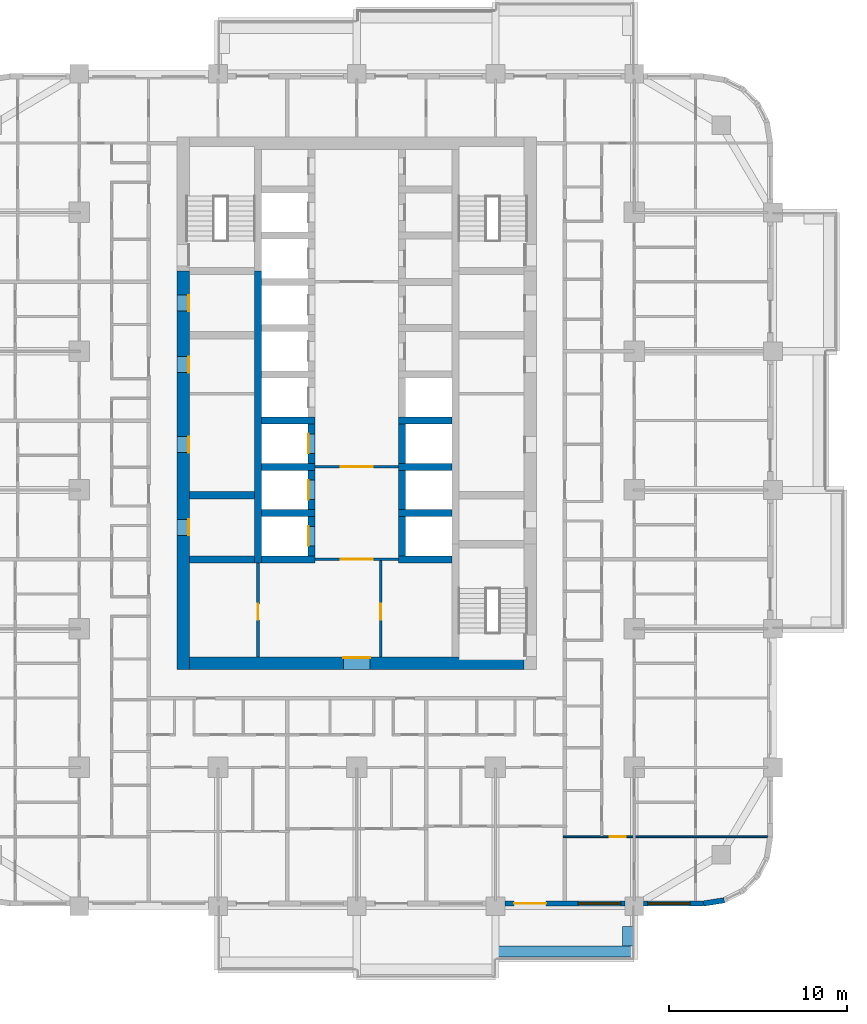
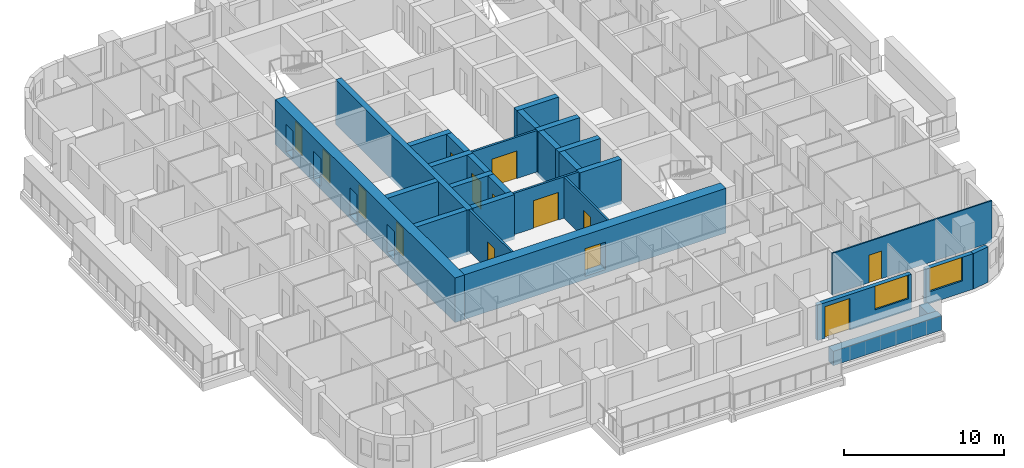
# One storey, part 6 of 17: 29 walls, 14 doors, 2 windows, 16 openings.
"""IFC4 building model written with IfcOpenShell, lengths in metres."""

from ifc_helpers import new_model, si_unit, direction, frame, frame_2d, origin, place, context, subcontext, project, spatial, rectangle, extrude, material, layer, layer_set, type_object, element, fill, save


model = new_model("IFC4")

# Units and contexts
model_context = context("Model", 3, precision=1e-05, world=origin(), true_north=direction((0.0, 1.0)))
body_context = subcontext(model_context, "Body", "Model", "MODEL_VIEW")
ifc_project = project(units=[si_unit("LENGTHUNIT", "METRE"), si_unit("AREAUNIT", "SQUARE_METRE"), si_unit("VOLUMEUNIT", "CUBIC_METRE"), si_unit("PLANEANGLEUNIT", "RADIAN"), si_unit("MASSUNIT", "GRAM", prefix="KILO")], contexts=[model_context])

# Site, building, storey
site_placement = place(None, origin())
site = spatial("IfcSite", under=ifc_project, at=site_placement, CompositionType="ELEMENT")
building_placement = place(site_placement, origin())
building = spatial("IfcBuilding", under=site, at=building_placement, Name="Ludao Terraces", CompositionType="ELEMENT")
storey_placement = place(building_placement, frame((0.0, 0.0, 39.89990234375)))
storey = spatial("IfcBuildingStorey", under=building, at=storey_placement, Name="L10", CompositionType="ELEMENT", Elevation=39.89990234375)

# Wall, openings, doors
ifc_material_1 = material(Name="Concrete C70", Category="concrete")
ifc_layer_1 = layer(ifc_material_1, 0.699951171875)
ifc_layer_set_1 = layer_set([ifc_layer_1], Name="Core wall 700 C70")
wall_type_1 = type_object("IfcWallType", Name="Core wall 700 C70", PredefinedType="SOLIDWALL", material=ifc_layer_set_1)
wall_1_placement = place(storey_placement, frame((75.25, 54.89990234375, -0.25), z_axis=(0.0, 0.0, 1.0), x_axis=(0.0, 1.0, 0.0)))
wall_1 = element("IfcWall", 1, at=wall_1_placement, inside=storey, type_object=wall_type_1, Name="Core wall L10 outer-W", PredefinedType="SOLIDWALL", context=body_context, shape_type="SweptSolid", body=[
    extrude(rectangle(XDim=22.400146484375, YDim=0.699951171875, at=frame_2d((11.2001953125, 0.0))), origin(), (0.0, 0.0, 1.0), 3.400146484375),
])
opening_1_placement = place(wall_1_placement, frame((7.550048828125, 0.0, 0.25)))
opening_1 = element("IfcOpeningElement", 2, at=opening_1_placement, cuts=wall_1, Name="Opening R03-079", PredefinedType="OPENING", context=body_context, shape_type="SweptSolid", body=[
    extrude(rectangle(XDim=0.89990234375, YDim=2.10009765625, at=frame_2d((0.449951171875, 1.050048828125))), frame((0.0, 0.35986328125, 0.0), z_axis=(0.0, -1.0, 0.0), x_axis=(1.0, 0.0, 0.0)), (0.0, 0.0, 1.0), 0.719970703125),
])
opening_2_placement = place(wall_1_placement, frame((12.199951171875, 0.0, 0.25)))
opening_2 = element("IfcOpeningElement", 3, at=opening_2_placement, cuts=wall_1, Name="Opening R03-094", PredefinedType="OPENING", context=body_context, shape_type="SweptSolid", body=[
    extrude(rectangle(XDim=0.89990234375, YDim=2.10009765625, at=frame_2d((0.449951171875, 1.050048828125))), frame((0.0, 0.35986328125, 0.0), z_axis=(0.0, -1.0, 0.0), x_axis=(1.0, 0.0, 0.0)), (0.0, 0.0, 1.0), 0.719970703125),
])
opening_3_placement = place(wall_1_placement, frame((16.699951171875, 0.0, 0.25)))
opening_3 = element("IfcOpeningElement", 4, at=opening_3_placement, cuts=wall_1, Name="Opening R03-109", PredefinedType="OPENING", context=body_context, shape_type="SweptSolid", body=[
    extrude(rectangle(XDim=0.89990234375, YDim=2.10009765625, at=frame_2d((0.449951171875, 1.050048828125))), frame((0.0, 0.35986328125, 0.0), z_axis=(0.0, -1.0, 0.0), x_axis=(1.0, 0.0, 0.0)), (0.0, 0.0, 1.0), 0.719970703125),
])
opening_4_placement = place(wall_1_placement, frame((20.14990234375, 0.0, 0.25)))
opening_4 = element("IfcOpeningElement", 5, at=opening_4_placement, cuts=wall_1, Name="Opening R03-120", PredefinedType="OPENING", context=body_context, shape_type="SweptSolid", body=[
    extrude(rectangle(XDim=0.89990234375, YDim=2.10009765625, at=frame_2d((0.449951171875, 1.050048828125))), frame((0.0, 0.35986328125, 0.0), z_axis=(0.0, -1.0, 0.0), x_axis=(1.0, 0.0, 0.0)), (0.0, 0.0, 1.0), 0.719970703125),
])
ifc_material_2 = material(Name="Steel Q235", Category="steel")
door_type_1 = type_object("IfcDoorType", Name="INT Riser door 900", OperationType="SINGLE_SWING_LEFT", PredefinedType="DOOR", material=ifc_material_2)
door_1_placement = place(opening_1_placement, origin())
door_1 = element("IfcDoor", 6, at=door_1_placement, inside=storey, type_object=door_type_1, Name="DOOR 079", OperationType="SINGLE_SWING_LEFT", OverallHeight=2.10009765625, OverallWidth=0.89990234375, PredefinedType="DOOR", context=body_context, shape_type="SweptSolid", body=[
    extrude(rectangle(XDim=0.89990234375, YDim=2.10009765625, at=frame_2d((0.449951171875, 1.050048828125))), frame((0.0, -0.28515625, 0.0), z_axis=(0.0, -1.0, 0.0), x_axis=(1.0, 0.0, 0.0)), (0.0, 0.0, 1.0), 0.050048828125),
])
fill(opening_1, door_1)
door_2_placement = place(opening_4_placement, origin())
door_2 = element("IfcDoor", 7, at=door_2_placement, inside=storey, type_object=door_type_1, Name="DOOR 120", OperationType="SINGLE_SWING_RIGHT", OverallHeight=2.10009765625, OverallWidth=0.89990234375, PredefinedType="DOOR", context=body_context, shape_type="SweptSolid", body=[
    extrude(rectangle(XDim=0.89990234375, YDim=2.10009765625, at=frame_2d((0.449951171875, 1.050048828125))), frame((0.0, -0.28515625, 0.0), z_axis=(0.0, -1.0, 0.0), x_axis=(1.0, 0.0, 0.0)), (0.0, 0.0, 1.0), 0.050048828125),
])
fill(opening_4, door_2)
ifc_material_3 = material(Name="Timber door leaf", Category="wood")
door_type_2 = type_object("IfcDoorType", Name="INT Room door 900", OperationType="SINGLE_SWING_LEFT", PredefinedType="DOOR", material=ifc_material_3)
door_3_placement = place(opening_2_placement, origin())
door_3 = element("IfcDoor", 8, at=door_3_placement, inside=storey, type_object=door_type_2, Name="DOOR 094", OperationType="SINGLE_SWING_RIGHT", OverallHeight=2.10009765625, OverallWidth=0.89990234375, PredefinedType="DOOR", context=body_context, shape_type="SweptSolid", body=[
    extrude(rectangle(XDim=0.89990234375, YDim=2.10009765625, at=frame_2d((0.449951171875, 1.050048828125))), frame((0.0, -0.28515625, 0.0), z_axis=(0.0, -1.0, 0.0), x_axis=(1.0, 0.0, 0.0)), (0.0, 0.0, 1.0), 0.050048828125),
])
fill(opening_2, door_3)
door_4_placement = place(opening_3_placement, origin())
door_4 = element("IfcDoor", 9, at=door_4_placement, inside=storey, type_object=door_type_2, Name="DOOR 109", OperationType="SINGLE_SWING_LEFT", OverallHeight=2.10009765625, OverallWidth=0.89990234375, PredefinedType="DOOR", context=body_context, shape_type="SweptSolid", body=[
    extrude(rectangle(XDim=0.89990234375, YDim=2.10009765625, at=frame_2d((0.449951171875, 1.050048828125))), frame((0.0, -0.28515625, 0.0), z_axis=(0.0, -1.0, 0.0), x_axis=(1.0, 0.0, 0.0)), (0.0, 0.0, 1.0), 0.050048828125),
])
fill(opening_3, door_4)

# Wall, opening, door
wall_2_placement = place(storey_placement, frame((75.60009765625, 55.25, -0.25), z_axis=(0.0, 0.0, 1.0), x_axis=(1.0, 0.0, 0.0)))
wall_2 = element("IfcWall", 10, at=wall_2_placement, inside=storey, type_object=wall_type_1, Name="Core wall L10 outer-S", PredefinedType="SOLIDWALL", context=body_context, shape_type="SweptSolid", body=[
    extrude(rectangle(XDim=18.7998046875, YDim=0.699951171875, at=frame_2d((9.39990234375, 0.0))), origin(), (0.0, 0.0, 1.0), 3.400146484375),
])
opening_5_placement = place(wall_2_placement, frame((8.64990234375, 0.0, 0.25)))
opening_5 = element("IfcOpeningElement", 11, at=opening_5_placement, cuts=wall_2, Name="Opening R03-054", PredefinedType="OPENING", context=body_context, shape_type="SweptSolid", body=[
    extrude(rectangle(XDim=1.5, YDim=2.10009765625, at=frame_2d((0.75, 1.050048828125))), frame((0.0, 0.35986328125, 0.0), z_axis=(0.0, -1.0, 0.0), x_axis=(1.0, 0.0, 0.0)), (0.0, 0.0, 1.0), 0.719970703125),
])
door_type_3 = type_object("IfcDoorType", Name="INT Lobby door 1500", OperationType="DOUBLE_DOOR_SINGLE_SWING", PredefinedType="DOOR", material=ifc_material_2)
door_5_placement = place(opening_5_placement, origin())
door_5 = element("IfcDoor", 12, at=door_5_placement, inside=storey, type_object=door_type_3, Name="DOOR 054", OperationType="DOUBLE_DOOR_SINGLE_SWING", OverallHeight=2.10009765625, OverallWidth=1.5, PredefinedType="DOOR", context=body_context, shape_type="SweptSolid", body=[
    extrude(rectangle(XDim=1.5, YDim=2.10009765625, at=frame_2d((0.75, 1.050048828125))), frame((0.0, 0.3349609375, 0.0), z_axis=(0.0, -1.0, 0.0), x_axis=(1.0, 0.0, 0.0)), (0.0, 0.0, 1.0), 0.050048828125),
])
fill(opening_5, door_5)

# Walls
ifc_material_4 = material(Name="Concrete C40", Category="concrete")
ifc_layer_2 = layer(ifc_material_4, 0.60009765625)
ifc_layer_set_2 = layer_set([ifc_layer_2], Name="ENV Planter trough 600")
wall_type_2 = type_object("IfcWallType", Name="ENV Planter trough 600", PredefinedType="USERDEFINED", material=ifc_layer_set_2)
wall_3_placement = place(storey_placement, frame((92.800048828125, 39.050048828125, 0.0), z_axis=(0.0, 0.0, 1.0), x_axis=(1.0, 0.0, 0.0)))
element("IfcWall", 13, at=wall_3_placement, inside=storey, type_object=wall_type_2, Name="PL-L10-S4", ObjectType="PLANTER", PredefinedType="USERDEFINED", context=body_context, shape_type="SweptSolid", body=[
    extrude(rectangle(XDim=7.800048828125, YDim=0.60009765625, at=frame_2d((3.89990234375, 0.0))), origin(), (0.0, 0.0, 1.0), 1.10009765625),
])
wall_4_placement = place(storey_placement, frame((100.25, 39.35009765625, 0.0), z_axis=(0.0, 0.0, 1.0), x_axis=(0.0, 1.0, 0.0)))
element("IfcWall", 14, at=wall_4_placement, inside=storey, type_object=wall_type_2, Name="PL-L10-S4-SB", ObjectType="PLANTER", PredefinedType="USERDEFINED", context=body_context, shape_type="SweptSolid", body=[
    extrude(rectangle(XDim=1.099853515625, YDim=0.60009765625, at=frame_2d((0.5498046875, 0.0))), origin(), (0.0, 0.0, 1.0), 1.10009765625),
])

# Wall, openings, door, window
ifc_material_5 = material(Name="Granite cladding", Category="masonry")
ifc_layer_3 = layer(ifc_material_5, 0.0400390625, Category="stone")
ifc_material_6 = material(Name="Mineral wool")
ifc_layer_4 = layer(ifc_material_6, 0.06005859375)
ifc_layer_5 = layer(ifc_material_4, 0.199951171875, Category="concrete")
ifc_layer_set_3 = layer_set([ifc_layer_3, ifc_layer_4, ifc_layer_5], Name="ENV Stone-clad wall 300")
wall_type_3 = type_object("IfcWallType", Name="ENV Stone-clad wall 300", PredefinedType="SOLIDWALL", material=ifc_layer_set_3)
wall_5_placement = place(storey_placement, frame((93.324951171875, 41.75, 0.0), z_axis=(0.0, 0.0, 1.0), x_axis=(1.0, 0.0, 0.0)))
wall_5 = element("IfcWall", 15, at=wall_5_placement, inside=storey, type_object=wall_type_3, Name="EW-L10-S5", PredefinedType="SOLIDWALL", context=body_context, shape_type="SweptSolid", body=[
    extrude(rectangle(XDim=6.75, YDim=0.300048828125, at=frame_2d((3.375, 0.0))), origin(), (0.0, 0.0, 1.0), 2.7001953125),
])
opening_6_placement = place(wall_5_placement, frame((0.52490234375, 0.0, 0.0)))
opening_6 = element("IfcOpeningElement", 16, at=opening_6_placement, cuts=wall_5, Name="Opening BD", PredefinedType="OPENING", context=body_context, shape_type="SweptSolid", body=[
    extrude(rectangle(XDim=1.800048828125, YDim=2.39990234375, at=frame_2d((0.89990234375, 1.199951171875))), frame((0.0, 0.16015625, 0.0), z_axis=(0.0, -1.0, 0.0), x_axis=(1.0, 0.0, 0.0)), (0.0, 0.0, 1.0), 0.320068359375),
])
opening_7_placement = place(wall_5_placement, frame((4.125, 0.0, 0.89990234375)))
opening_7 = element("IfcOpeningElement", 17, at=opening_7_placement, cuts=wall_5, Name="Opening W1", PredefinedType="OPENING", context=body_context, shape_type="SweptSolid", body=[
    extrude(rectangle(XDim=2.39990234375, YDim=1.800048828125, at=frame_2d((1.199951171875, 0.89990234375))), frame((0.0, 0.16015625, 0.0), z_axis=(0.0, -1.0, 0.0), x_axis=(1.0, 0.0, 0.0)), (0.0, 0.0, 1.0), 0.320068359375),
])
ifc_material_7 = material(Name="Aluminium glazed door", Category="aluminium")
ifc_layer_6 = layer(ifc_material_7, 0.06005859375)
ifc_layer_set_4 = layer_set([ifc_layer_6], Name="ENV Balcony door BD 1800x2400")
door_type_4 = type_object("IfcDoorType", Name="ENV Balcony door BD 1800x2400", OperationType="DOUBLE_DOOR_SINGLE_SWING", PredefinedType="DOOR", material=ifc_layer_set_4)
door_6_placement = place(opening_6_placement, origin())
door_6 = element("IfcDoor", 18, at=door_6_placement, inside=storey, type_object=door_type_4, Name="BD-L10-S5-1", OperationType="DOUBLE_DOOR_SINGLE_SWING", OverallHeight=2.39990234375, OverallWidth=1.800048828125, PredefinedType="DOOR", context=body_context, shape_type="SweptSolid", body=[
    extrude(rectangle(XDim=1.800048828125, YDim=2.39990234375, at=frame_2d((0.89990234375, 1.199951171875))), frame((0.0, 0.02490234375, 0.0), z_axis=(0.0, -1.0, 0.0), x_axis=(1.0, 0.0, 0.0)), (0.0, 0.0, 1.0), 0.050048828125),
])
fill(opening_6, door_6)
ifc_material_8 = material(Name="Clear glass in aluminium frame", Category="aluminium")
ifc_layer_7 = layer(ifc_material_8, 0.06005859375)
ifc_layer_set_5 = layer_set([ifc_layer_7], Name="ENV Window W1 2400x1800")
window_type = type_object("IfcWindowType", Name="ENV Window W1 2400x1800", PartitioningType="DOUBLE_PANEL_VERTICAL", PredefinedType="WINDOW", material=ifc_layer_set_5)
window_1_placement = place(opening_7_placement, origin())
window_1 = element("IfcWindow", 19, at=window_1_placement, inside=storey, type_object=window_type, Name="W-L10-S5-2", OverallHeight=1.800048828125, OverallWidth=2.39990234375, PartitioningType="DOUBLE_PANEL_VERTICAL", PredefinedType="WINDOW", context=body_context, shape_type="SweptSolid", body=[
    extrude(rectangle(XDim=2.39990234375, YDim=1.800048828125, at=frame_2d((1.199951171875, 0.89990234375))), frame((0.0, 0.030029296875, 0.0), z_axis=(0.0, -1.0, 0.0), x_axis=(1.0, 0.0, 0.0)), (0.0, 0.0, 1.0), 0.06005859375),
])
fill(opening_7, window_1)

# Wall, opening, window
wall_6_placement = place(storey_placement, frame((101.125, 41.75, 0.0), z_axis=(0.0, 0.0, 1.0), x_axis=(1.0, 0.0, 0.0)))
wall_6 = element("IfcWall", 20, at=wall_6_placement, inside=storey, type_object=wall_type_3, Name="EW-L10-S6", PredefinedType="SOLIDWALL", context=body_context, shape_type="SweptSolid", body=[
    extrude(rectangle(XDim=3.375, YDim=0.300048828125, at=frame_2d((1.6875, 0.0))), origin(), (0.0, 0.0, 1.0), 2.7001953125),
])
opening_8_placement = place(wall_6_placement, frame((0.22509765625, 0.0, 0.89990234375)))
opening_8 = element("IfcOpeningElement", 21, at=opening_8_placement, cuts=wall_6, Name="Opening W1", PredefinedType="OPENING", context=body_context, shape_type="SweptSolid", body=[
    extrude(rectangle(XDim=2.39990234375, YDim=1.800048828125, at=frame_2d((1.199951171875, 0.89990234375))), frame((0.0, 0.16015625, 0.0), z_axis=(0.0, -1.0, 0.0), x_axis=(1.0, 0.0, 0.0)), (0.0, 0.0, 1.0), 0.320068359375),
])
window_2_placement = place(opening_8_placement, origin())
window_2 = element("IfcWindow", 22, at=window_2_placement, inside=storey, type_object=window_type, Name="W-L10-S6-1", OverallHeight=1.800048828125, OverallWidth=2.39990234375, PartitioningType="DOUBLE_PANEL_VERTICAL", PredefinedType="WINDOW", context=body_context, shape_type="SweptSolid", body=[
    extrude(rectangle(XDim=2.39990234375, YDim=1.800048828125, at=frame_2d((1.199951171875, 0.89990234375))), frame((0.0, 0.030029296875, 0.0), z_axis=(0.0, -1.0, 0.0), x_axis=(1.0, 0.0, 0.0)), (0.0, 0.0, 1.0), 0.06005859375),
])
fill(opening_8, window_2)

# Wall
wall_7_placement = place(storey_placement, frame((104.5, 41.75, 0.0), z_axis=(0.0, 0.0, 1.0), x_axis=(0.987678452879, 0.156496880861, 0.0)))
element("IfcWall", 23, at=wall_7_placement, inside=storey, type_object=wall_type_3, Name="EW-L10-SE1", PredefinedType="SOLIDWALL", context=body_context, shape_type="SweptSolid", body=[
    extrude(rectangle(XDim=1.173095703125, YDim=0.300048828125, at=frame_2d((0.58642578125, 0.0))), origin(), (0.0, 0.0, 1.0), 2.7001953125),
])

# Wall, opening, door
ifc_material_9 = material(Name="Fire-rated gypsum plasterboard", Category="gypsum")
ifc_layer_8 = layer(ifc_material_9, 0.012451171875, Category="gypsum")
ifc_layer_9 = layer(ifc_material_6, 0.10009765625, Name="insulation")
ifc_layer_10 = layer(ifc_material_2, 0.02490234375, Name="stud")
ifc_layer_11 = layer(ifc_material_9, 0.012451171875, Category="gypsum")
ifc_layer_set_6 = layer_set([ifc_layer_8, ifc_layer_9, ifc_layer_10, ifc_layer_11], Name="INT Core partition 150")
wall_type_4 = type_object("IfcWallType", Name="INT Core partition 150", PredefinedType="PARTITIONING", material=ifc_layer_set_6)
wall_8_placement = place(storey_placement, frame((82.650146484375, 61.10009765625, 0.0), z_axis=(0.0, 0.0, 1.0), x_axis=(1.0, 0.0, 0.0)))
wall_8 = element("IfcWall", 24, at=wall_8_placement, inside=storey, type_object=wall_type_4, Name="PW-L10-PW036", PredefinedType="PARTITIONING", context=body_context, shape_type="SweptSolid", body=[
    extrude(rectangle(XDim=4.699951171875, YDim=0.14990234375, at=frame_2d((2.35009765625, 0.0))), origin(), (0.0, 0.0, 1.0), 3.150146484375),
])
opening_9_placement = place(wall_8_placement, frame((1.449951171875, 0.0, 0.0)))
opening_9 = element("IfcOpeningElement", 25, at=opening_9_placement, cuts=wall_8, Name="Opening R03-074", PredefinedType="OPENING", context=body_context, shape_type="SweptSolid", body=[
    extrude(rectangle(XDim=1.800048828125, YDim=2.10009765625, at=frame_2d((0.89990234375, 1.050048828125))), frame((0.0, 0.0849609375, 0.0), z_axis=(0.0, -1.0, 0.0), x_axis=(1.0, 0.0, 0.0)), (0.0, 0.0, 1.0), 0.169921875),
])
door_type_5 = type_object("IfcDoorType", Name="INT Fire lobby door 1800", OperationType="DOUBLE_DOOR_SINGLE_SWING", PredefinedType="DOOR", material=ifc_material_2)
door_7_placement = place(opening_9_placement, origin())
door_7 = element("IfcDoor", 26, at=door_7_placement, inside=storey, type_object=door_type_5, Name="DOOR 074", OperationType="DOUBLE_DOOR_SINGLE_SWING", OverallHeight=2.10009765625, OverallWidth=1.800048828125, PredefinedType="DOOR", context=body_context, shape_type="SweptSolid", body=[
    extrude(rectangle(XDim=1.800048828125, YDim=2.10009765625, at=frame_2d((0.89990234375, 1.050048828125))), frame((0.0, 0.02490234375, 0.0), z_axis=(0.0, -1.0, 0.0), x_axis=(1.0, 0.0, 0.0)), (0.0, 0.0, 1.0), 0.050048828125),
])
fill(opening_9, door_7)

wall_9_placement = place(storey_placement, frame((82.650146484375, 66.300048828125, 0.0), z_axis=(0.0, 0.0, 1.0), x_axis=(1.0, 0.0, 0.0)))
wall_9 = element("IfcWall", 27, at=wall_9_placement, inside=storey, type_object=wall_type_4, Name="PW-L10-PW046", PredefinedType="PARTITIONING", context=body_context, shape_type="SweptSolid", body=[
    extrude(rectangle(XDim=4.699951171875, YDim=0.14990234375, at=frame_2d((2.35009765625, 0.0))), origin(), (0.0, 0.0, 1.0), 3.150146484375),
])
opening_10_placement = place(wall_9_placement, frame((1.449951171875, 0.0, 0.0)))
opening_10 = element("IfcOpeningElement", 28, at=opening_10_placement, cuts=wall_9, Name="Opening R03-091", PredefinedType="OPENING", context=body_context, shape_type="SweptSolid", body=[
    extrude(rectangle(XDim=1.800048828125, YDim=2.10009765625, at=frame_2d((0.89990234375, 1.050048828125))), frame((0.0, 0.0849609375, 0.0), z_axis=(0.0, -1.0, 0.0), x_axis=(1.0, 0.0, 0.0)), (0.0, 0.0, 1.0), 0.169921875),
])
door_8_placement = place(opening_10_placement, origin())
door_8 = element("IfcDoor", 29, at=door_8_placement, inside=storey, type_object=door_type_5, Name="DOOR 091", OperationType="DOUBLE_DOOR_SINGLE_SWING", OverallHeight=2.10009765625, OverallWidth=1.800048828125, PredefinedType="DOOR", context=body_context, shape_type="SweptSolid", body=[
    extrude(rectangle(XDim=1.800048828125, YDim=2.10009765625, at=frame_2d((0.89990234375, 1.050048828125))), frame((0.0, 0.02490234375, 0.0), z_axis=(0.0, -1.0, 0.0), x_axis=(1.0, 0.0, 0.0)), (0.0, 0.0, 1.0), 0.050048828125),
])
fill(opening_10, door_8)

wall_10_placement = place(storey_placement, frame((79.449951171875, 55.60009765625, 0.0), z_axis=(0.0, 0.0, 1.0), x_axis=(0.0, 1.0, 0.0)))
wall_10 = element("IfcWall", 30, at=wall_10_placement, inside=storey, type_object=wall_type_4, Name="PW-L10-PW098", PredefinedType="PARTITIONING", context=body_context, shape_type="SweptSolid", body=[
    extrude(rectangle(XDim=5.300048828125, YDim=0.14990234375, at=frame_2d((2.64990234375, 0.0))), origin(), (0.0, 0.0, 1.0), 3.150146484375),
])
opening_11_placement = place(wall_10_placement, frame((2.10009765625, 0.0, 0.0)))
opening_11 = element("IfcOpeningElement", 31, at=opening_11_placement, cuts=wall_10, Name="Opening R03-063", PredefinedType="OPENING", context=body_context, shape_type="SweptSolid", body=[
    extrude(rectangle(XDim=0.89990234375, YDim=2.10009765625, at=frame_2d((0.449951171875, 1.050048828125))), frame((0.0, 0.0849609375, 0.0), z_axis=(0.0, -1.0, 0.0), x_axis=(1.0, 0.0, 0.0)), (0.0, 0.0, 1.0), 0.169921875),
])
door_9_placement = place(opening_11_placement, origin())
door_9 = element("IfcDoor", 32, at=door_9_placement, inside=storey, type_object=door_type_2, Name="DOOR 063", OperationType="SINGLE_SWING_LEFT", OverallHeight=2.10009765625, OverallWidth=0.89990234375, PredefinedType="DOOR", context=body_context, shape_type="SweptSolid", body=[
    extrude(rectangle(XDim=0.89990234375, YDim=2.10009765625, at=frame_2d((0.449951171875, 1.050048828125))), frame((0.0, 0.02490234375, 0.0), z_axis=(0.0, -1.0, 0.0), x_axis=(1.0, 0.0, 0.0)), (0.0, 0.0, 1.0), 0.050048828125),
])
fill(opening_11, door_9)

wall_11_placement = place(storey_placement, frame((86.35009765625, 55.60009765625, 0.0), z_axis=(0.0, 0.0, 1.0), x_axis=(0.0, 1.0, 0.0)))
wall_11 = element("IfcWall", 33, at=wall_11_placement, inside=storey, type_object=wall_type_4, Name="PW-L10-PW105", PredefinedType="PARTITIONING", context=body_context, shape_type="SweptSolid", body=[
    extrude(rectangle(XDim=5.425048828125, YDim=0.14990234375, at=frame_2d((2.71240234375, 0.0))), origin(), (0.0, 0.0, 1.0), 3.150146484375),
])
opening_12_placement = place(wall_11_placement, frame((2.10009765625, 0.0, 0.0)))
opening_12 = element("IfcOpeningElement", 34, at=opening_12_placement, cuts=wall_11, Name="Opening R03-064", PredefinedType="OPENING", context=body_context, shape_type="SweptSolid", body=[
    extrude(rectangle(XDim=0.89990234375, YDim=2.10009765625, at=frame_2d((0.449951171875, 1.050048828125))), frame((0.0, 0.0849609375, 0.0), z_axis=(0.0, -1.0, 0.0), x_axis=(1.0, 0.0, 0.0)), (0.0, 0.0, 1.0), 0.169921875),
])
door_10_placement = place(opening_12_placement, origin())
door_10 = element("IfcDoor", 35, at=door_10_placement, inside=storey, type_object=door_type_2, Name="DOOR 064", OperationType="SINGLE_SWING_RIGHT", OverallHeight=2.10009765625, OverallWidth=0.89990234375, PredefinedType="DOOR", context=body_context, shape_type="SweptSolid", body=[
    extrude(rectangle(XDim=0.89990234375, YDim=2.10009765625, at=frame_2d((0.449951171875, 1.050048828125))), frame((0.0, 0.02490234375, 0.0), z_axis=(0.0, -1.0, 0.0), x_axis=(1.0, 0.0, 0.0)), (0.0, 0.0, 1.0), 0.050048828125),
])
fill(opening_12, door_10)

ifc_material_10 = material(Name="Gypsum plasterboard", Category="gypsum")
ifc_layer_12 = layer(ifc_material_10, 0.012451171875, Category="gypsum")
ifc_layer_13 = layer(ifc_material_6, 0.06005859375, Name="insulation")
ifc_layer_14 = layer(ifc_material_2, 0.014892578125, Name="stud")
ifc_layer_15 = layer(ifc_material_10, 0.012451171875, Category="gypsum")
ifc_layer_set_7 = layer_set([ifc_layer_12, ifc_layer_13, ifc_layer_14, ifc_layer_15], Name="INT Partition 100")
wall_type_5 = type_object("IfcWallType", Name="INT Partition 100", PredefinedType="PARTITIONING", material=ifc_layer_set_7)
wall_12_placement = place(storey_placement, frame((96.60009765625, 45.5, 0.0), z_axis=(0.0, 0.0, 1.0), x_axis=(1.0, 0.0, 0.0)))
wall_12 = element("IfcWall", 36, at=wall_12_placement, inside=storey, type_object=wall_type_5, Name="PW-L10-PW001", PredefinedType="PARTITIONING", context=body_context, shape_type="SweptSolid", body=[
    extrude(rectangle(XDim=11.5, YDim=0.10009765625, at=frame_2d((5.75, 0.0))), origin(), (0.0, 0.0, 1.0), 3.150146484375),
])
opening_13_placement = place(wall_12_placement, frame((2.635009765625, 0.0, 0.0)))
opening_13 = element("IfcOpeningElement", 37, at=opening_13_placement, cuts=wall_12, Name="Opening R03-006", PredefinedType="OPENING", context=body_context, shape_type="SweptSolid", body=[
    extrude(rectangle(XDim=0.89990234375, YDim=2.10009765625, at=frame_2d((0.449951171875, 1.050048828125))), frame((0.0, 0.06005859375, 0.0), z_axis=(0.0, -1.0, 0.0), x_axis=(1.0, 0.0, 0.0)), (0.0, 0.0, 1.0), 0.1201171875),
])
door_11_placement = place(opening_13_placement, origin())
door_11 = element("IfcDoor", 38, at=door_11_placement, inside=storey, type_object=door_type_2, Name="DOOR 006", OperationType="SINGLE_SWING_LEFT", OverallHeight=2.10009765625, OverallWidth=0.89990234375, PredefinedType="DOOR", context=body_context, shape_type="SweptSolid", body=[
    extrude(rectangle(XDim=0.89990234375, YDim=2.10009765625, at=frame_2d((0.449951171875, 1.050048828125))), frame((0.0, 0.02490234375, 0.0), z_axis=(0.0, -1.0, 0.0), x_axis=(1.0, 0.0, 0.0)), (0.0, 0.0, 1.0), 0.050048828125),
])
fill(opening_13, door_11)

# Walls
ifc_material_11 = material(Name="Concrete C60", Category="concrete")
ifc_layer_16 = layer(ifc_material_11, 0.39990234375)
ifc_layer_set_8 = layer_set([ifc_layer_16], Name="Shaft wall 400 C60")
wall_type_6 = type_object("IfcWallType", Name="Shaft wall 400 C60", PredefinedType="SOLIDWALL", material=ifc_layer_set_8)
wall_13_placement = place(storey_placement, frame((79.449951171875, 60.89990234375, -0.25), z_axis=(0.0, 0.0, 1.0), x_axis=(0.0, 1.0, 0.0)))
element("IfcWall", 39, at=wall_13_placement, inside=storey, type_object=wall_type_6, Name="Core wall L10 back-W", PredefinedType="SOLIDWALL", context=body_context, shape_type="SweptSolid", body=[
    extrude(rectangle(XDim=16.400146484375, YDim=0.39990234375, at=frame_2d((8.2001953125, 0.0))), origin(), (0.0, 0.0, 1.0), 3.400146484375),
])
wall_14_placement = place(storey_placement, frame((79.64990234375, 61.10009765625, -0.25), z_axis=(0.0, 0.0, 1.0), x_axis=(1.0, 0.0, 0.0)))
element("IfcWall", 40, at=wall_14_placement, inside=storey, type_object=wall_type_6, Name="Core wall L10 div-W1", PredefinedType="SOLIDWALL", context=body_context, shape_type="SweptSolid", body=[
    extrude(rectangle(XDim=3.0, YDim=0.39990234375, at=frame_2d((1.5, 0.0))), origin(), (0.0, 0.0, 1.0), 3.400146484375),
])

# Wall, opening, door
wall_15_placement = place(storey_placement, frame((82.449951171875, 61.300048828125, -0.25), z_axis=(0.0, 0.0, 1.0), x_axis=(0.0, 1.0, 0.0)))
wall_15 = element("IfcWall", 41, at=wall_15_placement, inside=storey, type_object=wall_type_6, Name="Core wall L10 front-W1", PredefinedType="SOLIDWALL", context=body_context, shape_type="SweptSolid", body=[
    extrude(rectangle(XDim=2.199951171875, YDim=0.39990234375, at=frame_2d((1.10009765625, 0.0))), origin(), (0.0, 0.0, 1.0), 3.400146484375),
])
opening_14_placement = place(wall_15_placement, frame((0.550048828125, 0.0, 0.25)))
opening_14 = element("IfcOpeningElement", 42, at=opening_14_placement, cuts=wall_15, Name="Opening LD-LA1", PredefinedType="OPENING", context=body_context, shape_type="SweptSolid", body=[
    extrude(rectangle(XDim=1.10009765625, YDim=2.10009765625, at=frame_2d((0.550048828125, 1.050048828125))), frame((0.0, 0.2099609375, 0.0), z_axis=(0.0, -1.0, 0.0), x_axis=(1.0, 0.0, 0.0)), (0.0, 0.0, 1.0), 0.419921875),
])
ifc_material_12 = material(Name="Stainless steel 304", Category="steel")
door_type_6 = type_object("IfcDoorType", Name="INT Lift landing door 1100", OperationType="SLIDING_TO_LEFT", PredefinedType="DOOR", material=ifc_material_12)
door_12_placement = place(opening_14_placement, origin())
door_12 = element("IfcDoor", 43, at=door_12_placement, inside=storey, type_object=door_type_6, Name="LANDING DOOR LA1 L10", OperationType="SLIDING_TO_RIGHT", OverallHeight=2.10009765625, OverallWidth=1.10009765625, PredefinedType="DOOR", context=body_context, shape_type="SweptSolid", body=[
    extrude(rectangle(XDim=1.10009765625, YDim=2.10009765625, at=frame_2d((0.550048828125, 1.050048828125))), frame((0.0, 0.18505859375, 0.0), z_axis=(0.0, -1.0, 0.0), x_axis=(1.0, 0.0, 0.0)), (0.0, 0.0, 1.0), 0.050048828125),
])
fill(opening_14, door_12)

# Wall
wall_16_placement = place(storey_placement, frame((79.64990234375, 63.699951171875, -0.25), z_axis=(0.0, 0.0, 1.0), x_axis=(1.0, 0.0, 0.0)))
element("IfcWall", 44, at=wall_16_placement, inside=storey, type_object=wall_type_6, Name="Core wall L10 div-W2", PredefinedType="SOLIDWALL", context=body_context, shape_type="SweptSolid", body=[
    extrude(rectangle(XDim=3.0, YDim=0.39990234375, at=frame_2d((1.5, 0.0))), origin(), (0.0, 0.0, 1.0), 3.400146484375),
])

# Wall, opening, door
wall_17_placement = place(storey_placement, frame((82.449951171875, 63.89990234375, -0.25), z_axis=(0.0, 0.0, 1.0), x_axis=(0.0, 1.0, 0.0)))
wall_17 = element("IfcWall", 45, at=wall_17_placement, inside=storey, type_object=wall_type_6, Name="Core wall L10 front-W2", PredefinedType="SOLIDWALL", context=body_context, shape_type="SweptSolid", body=[
    extrude(rectangle(XDim=2.2001953125, YDim=0.39990234375, at=frame_2d((1.10009765625, 0.0))), origin(), (0.0, 0.0, 1.0), 3.400146484375),
])
opening_15_placement = place(wall_17_placement, frame((0.550048828125, 0.0, 0.25)))
opening_15 = element("IfcOpeningElement", 46, at=opening_15_placement, cuts=wall_17, Name="Opening LD-LA2", PredefinedType="OPENING", context=body_context, shape_type="SweptSolid", body=[
    extrude(rectangle(XDim=1.10009765625, YDim=2.10009765625, at=frame_2d((0.550048828125, 1.050048828125))), frame((0.0, 0.2099609375, 0.0), z_axis=(0.0, -1.0, 0.0), x_axis=(1.0, 0.0, 0.0)), (0.0, 0.0, 1.0), 0.419921875),
])
door_13_placement = place(opening_15_placement, origin())
door_13 = element("IfcDoor", 47, at=door_13_placement, inside=storey, type_object=door_type_6, Name="LANDING DOOR LA2 L10", OperationType="SLIDING_TO_RIGHT", OverallHeight=2.10009765625, OverallWidth=1.10009765625, PredefinedType="DOOR", context=body_context, shape_type="SweptSolid", body=[
    extrude(rectangle(XDim=1.10009765625, YDim=2.10009765625, at=frame_2d((0.550048828125, 1.050048828125))), frame((0.0, 0.18505859375, 0.0), z_axis=(0.0, -1.0, 0.0), x_axis=(1.0, 0.0, 0.0)), (0.0, 0.0, 1.0), 0.050048828125),
])
fill(opening_15, door_13)

# Wall
wall_18_placement = place(storey_placement, frame((79.64990234375, 66.300048828125, -0.25), z_axis=(0.0, 0.0, 1.0), x_axis=(1.0, 0.0, 0.0)))
element("IfcWall", 48, at=wall_18_placement, inside=storey, type_object=wall_type_6, Name="Core wall L10 div-W3", PredefinedType="SOLIDWALL", context=body_context, shape_type="SweptSolid", body=[
    extrude(rectangle(XDim=3.0, YDim=0.39990234375, at=frame_2d((1.5, 0.0))), origin(), (0.0, 0.0, 1.0), 3.400146484375),
])

# Wall, opening, door
wall_19_placement = place(storey_placement, frame((82.449951171875, 66.5, -0.25), z_axis=(0.0, 0.0, 1.0), x_axis=(0.0, 1.0, 0.0)))
wall_19 = element("IfcWall", 49, at=wall_19_placement, inside=storey, type_object=wall_type_6, Name="Core wall L10 front-W3", PredefinedType="SOLIDWALL", context=body_context, shape_type="SweptSolid", body=[
    extrude(rectangle(XDim=2.199951171875, YDim=0.39990234375, at=frame_2d((1.10009765625, 0.0))), origin(), (0.0, 0.0, 1.0), 3.400146484375),
])
opening_16_placement = place(wall_19_placement, frame((0.550048828125, 0.0, 0.25)))
opening_16 = element("IfcOpeningElement", 50, at=opening_16_placement, cuts=wall_19, Name="Opening LD-LA3", PredefinedType="OPENING", context=body_context, shape_type="SweptSolid", body=[
    extrude(rectangle(XDim=1.10009765625, YDim=2.10009765625, at=frame_2d((0.550048828125, 1.050048828125))), frame((0.0, 0.2099609375, 0.0), z_axis=(0.0, -1.0, 0.0), x_axis=(1.0, 0.0, 0.0)), (0.0, 0.0, 1.0), 0.419921875),
])
door_14_placement = place(opening_16_placement, origin())
door_14 = element("IfcDoor", 51, at=door_14_placement, inside=storey, type_object=door_type_6, Name="LANDING DOOR LA3 L10", OperationType="SLIDING_TO_RIGHT", OverallHeight=2.10009765625, OverallWidth=1.10009765625, PredefinedType="DOOR", context=body_context, shape_type="SweptSolid", body=[
    extrude(rectangle(XDim=1.10009765625, YDim=2.10009765625, at=frame_2d((0.550048828125, 1.050048828125))), frame((0.0, 0.18505859375, 0.0), z_axis=(0.0, -1.0, 0.0), x_axis=(1.0, 0.0, 0.0)), (0.0, 0.0, 1.0), 0.050048828125),
])
fill(opening_16, door_14)

# Walls
for number, where, z_axis, x_axis, name in (
    (52, (79.64990234375, 68.89990234375, -0.25), (0.0, 0.0, 1.0), (1.0, 0.0, 0.0), "Core wall L10 div-W4"),
    (53, (87.35009765625, 61.10009765625, -0.25), (0.0, 0.0, 1.0), (1.0, 0.0, 0.0), "Core wall L10 div-E1"),
):
    element("IfcWall", number, at=place(storey_placement, frame(where, z_axis=z_axis, x_axis=x_axis)), inside=storey, type_object=wall_type_6, Name=name, PredefinedType="SOLIDWALL", context=body_context, shape_type="SweptSolid", body=[
        extrude(rectangle(XDim=3.0, YDim=0.39990234375, at=frame_2d((1.5, 0.0))), origin(), (0.0, 0.0, 1.0), 3.400146484375),
    ])
wall_20_placement = place(storey_placement, frame((87.550048828125, 61.300048828125, -0.25), z_axis=(0.0, 0.0, 1.0), x_axis=(0.0, 1.0, 0.0)))
element("IfcWall", 54, at=wall_20_placement, inside=storey, type_object=wall_type_6, Name="Core wall L10 front-E1", PredefinedType="SOLIDWALL", context=body_context, shape_type="SweptSolid", body=[
    extrude(rectangle(XDim=2.199951171875, YDim=0.39990234375, at=frame_2d((1.10009765625, 0.0))), origin(), (0.0, 0.0, 1.0), 3.400146484375),
])
wall_21_placement = place(storey_placement, frame((87.35009765625, 63.699951171875, -0.25), z_axis=(0.0, 0.0, 1.0), x_axis=(1.0, 0.0, 0.0)))
element("IfcWall", 55, at=wall_21_placement, inside=storey, type_object=wall_type_6, Name="Core wall L10 div-E2", PredefinedType="SOLIDWALL", context=body_context, shape_type="SweptSolid", body=[
    extrude(rectangle(XDim=3.0, YDim=0.39990234375, at=frame_2d((1.5, 0.0))), origin(), (0.0, 0.0, 1.0), 3.400146484375),
])
wall_22_placement = place(storey_placement, frame((87.550048828125, 63.89990234375, -0.25), z_axis=(0.0, 0.0, 1.0), x_axis=(0.0, 1.0, 0.0)))
element("IfcWall", 56, at=wall_22_placement, inside=storey, type_object=wall_type_6, Name="Core wall L10 front-E2", PredefinedType="SOLIDWALL", context=body_context, shape_type="SweptSolid", body=[
    extrude(rectangle(XDim=2.2001953125, YDim=0.39990234375, at=frame_2d((1.10009765625, 0.0))), origin(), (0.0, 0.0, 1.0), 3.400146484375),
])
wall_23_placement = place(storey_placement, frame((87.35009765625, 66.300048828125, -0.25), z_axis=(0.0, 0.0, 1.0), x_axis=(1.0, 0.0, 0.0)))
element("IfcWall", 57, at=wall_23_placement, inside=storey, type_object=wall_type_6, Name="Core wall L10 div-E3", PredefinedType="SOLIDWALL", context=body_context, shape_type="SweptSolid", body=[
    extrude(rectangle(XDim=3.0, YDim=0.39990234375, at=frame_2d((1.5, 0.0))), origin(), (0.0, 0.0, 1.0), 3.400146484375),
])
wall_24_placement = place(storey_placement, frame((87.550048828125, 66.5, -0.25), z_axis=(0.0, 0.0, 1.0), x_axis=(0.0, 1.0, 0.0)))
element("IfcWall", 58, at=wall_24_placement, inside=storey, type_object=wall_type_6, Name="Core wall L10 front-E3", PredefinedType="SOLIDWALL", context=body_context, shape_type="SweptSolid", body=[
    extrude(rectangle(XDim=2.199951171875, YDim=0.39990234375, at=frame_2d((1.10009765625, 0.0))), origin(), (0.0, 0.0, 1.0), 3.400146484375),
])
wall_25_placement = place(storey_placement, frame((87.35009765625, 68.89990234375, -0.25), z_axis=(0.0, 0.0, 1.0), x_axis=(1.0, 0.0, 0.0)))
element("IfcWall", 59, at=wall_25_placement, inside=storey, type_object=wall_type_6, Name="Core wall L10 div-E4", PredefinedType="SOLIDWALL", context=body_context, shape_type="SweptSolid", body=[
    extrude(rectangle(XDim=3.0, YDim=0.39990234375, at=frame_2d((1.5, 0.0))), origin(), (0.0, 0.0, 1.0), 3.400146484375),
])
for number, where, z_axis, x_axis, name in (
    (60, (75.60009765625, 61.10009765625, -0.25), (0.0, 0.0, 1.0), (1.0, 0.0, 0.0), "Core wall L10 hall-W"),
    (61, (75.60009765625, 64.699951171875, -0.25), (0.0, 0.0, 1.0), (1.0, 0.0, 0.0), "Core wall L10 riser-a-W"),
):
    element("IfcWall", number, at=place(storey_placement, frame(where, z_axis=z_axis, x_axis=x_axis)), inside=storey, type_object=wall_type_6, Name=name, PredefinedType="SOLIDWALL", context=body_context, shape_type="SweptSolid", body=[
        extrude(rectangle(XDim=3.64990234375, YDim=0.39990234375, at=frame_2d((1.824951171875, 0.0))), origin(), (0.0, 0.0, 1.0), 3.400146484375),
    ])

save(model, "model.ifc")
